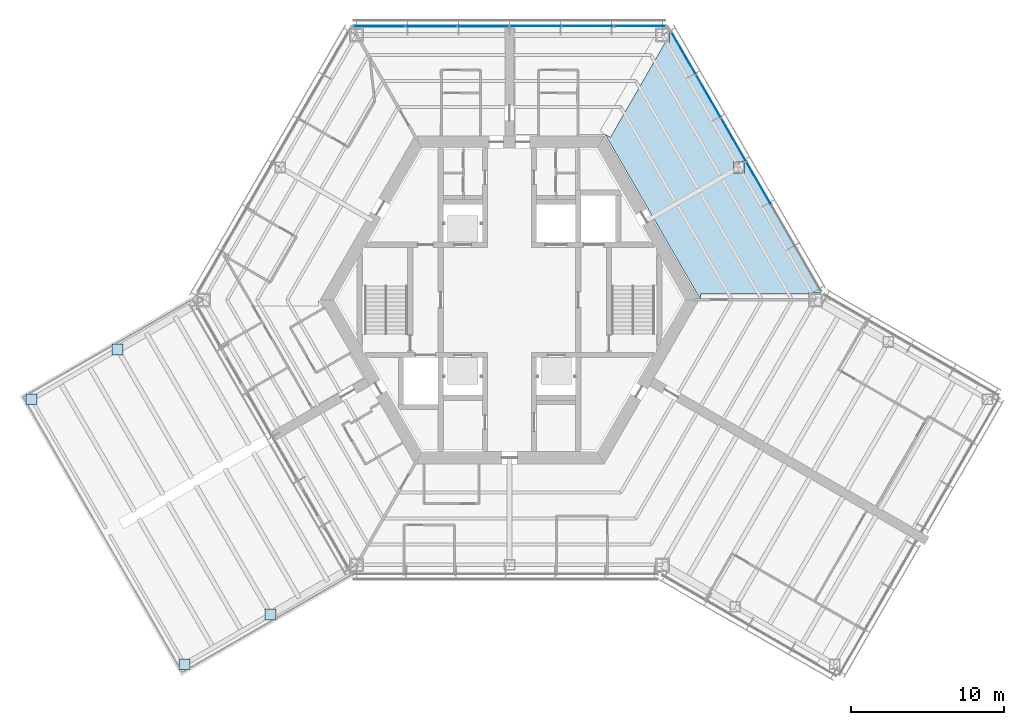
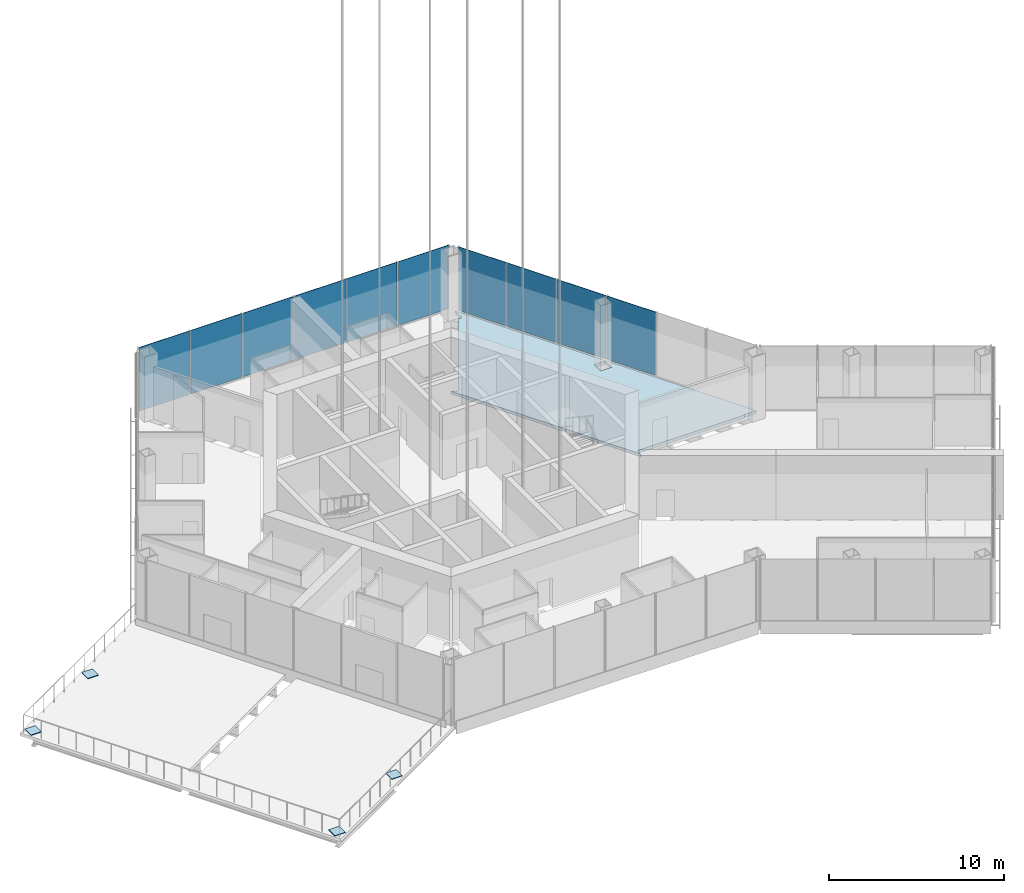
# One storey, part 7 of 17: 14 plates, 1 slab, 2 elements without a shape of their own.
"""IFC4 building model written with IfcOpenShell, lengths in metres."""

from ifc_helpers import new_model, si_unit, direction, frame, origin, origin_2d, place, context, subcontext, project, spatial, polyline, rectangle, outline, extrude, material, layer, layer_set, type_object, element, aggregate, save


model = new_model("IFC4")

# Units and contexts
model_context = context("Model", 3, precision=1e-05, world=origin(), true_north=direction((0.0, 1.0)))
body_context = subcontext(model_context, "Body", "Model", "MODEL_VIEW")
ifc_project = project(units=[si_unit("LENGTHUNIT", "METRE"), si_unit("AREAUNIT", "SQUARE_METRE"), si_unit("VOLUMEUNIT", "CUBIC_METRE"), si_unit("PLANEANGLEUNIT", "RADIAN"), si_unit("MASSUNIT", "GRAM", prefix="KILO")], contexts=[model_context])

# Site, building, storey
site_placement = place(None, origin())
site = spatial("IfcSite", under=ifc_project, at=site_placement, CompositionType="ELEMENT")
building_placement = place(site_placement, origin())
building = spatial("IfcBuilding", under=site, at=building_placement, Name="Kasaneha Research Tower", CompositionType="ELEMENT")
storey_placement = place(building_placement, frame((0.0, 0.0, 208.300048828125)))
storey = spatial("IfcBuildingStorey", under=building, at=storey_placement, Name="L52", CompositionType="ELEMENT", Elevation=208.300048828125)

# Curtain wall, plates
ifc_material_1 = material(Name="Glass and aluminium", Category="aluminium")
curtain_wall_type = type_object("IfcCurtainWallType", Name="Sky lobby curtain wall", PredefinedType="USERDEFINED", material=ifc_material_1)
curtain_wall_1_placement = place(storey_placement, origin())
curtain_wall_1 = element("IfcCurtainWall", 1, at=curtain_wall_1_placement, inside=storey, type_object=curtain_wall_type, Name="CW-S L52 run 01a", ObjectType="UNITISED CURTAIN WALL", PredefinedType="USERDEFINED")
ifc_material_2 = material(Name="Laminated double glazing", Category="glass")
ifc_layer_1 = layer(ifc_material_2, 0.030029296875)
ifc_layer_set_1 = layer_set([ifc_layer_1], Name="CW-S glazed panel")
plate_type_1 = type_object("IfcPlateType", Name="CW-S glazed panel", PredefinedType="CURTAIN_PANEL", material=ifc_layer_set_1)
plate_1_placement = place(storey_placement, frame((16.291748046875, 7.622802734375, 0.06982421875), z_axis=(0.0, 0.0, 1.0), x_axis=(-0.499999979232, 0.866025415775, 0.0)))
plate_1 = element("IfcPlate", 2, at=plate_1_placement, type_object=plate_type_1, Name="CW-S panel 3", PredefinedType="CURTAIN_PANEL", context=body_context, shape_type="SweptSolid", body=[
    extrude(rectangle(XDim=3.2080078125, YDim=0.030029296875, at=origin_2d()), origin(), (0.0, 0.0, 1.0), 4.429931640625),
])
plate_2_placement = place(storey_placement, frame((14.65283203125, 10.461669921875, 0.06982421875), z_axis=(0.0, 0.0, 1.0), x_axis=(-0.499999979232, 0.866025415775, 0.0)))
plate_2 = element("IfcPlate", 3, at=plate_2_placement, type_object=plate_type_1, Name="CW-S panel 4", PredefinedType="CURTAIN_PANEL", context=body_context, shape_type="SweptSolid", body=[
    extrude(rectangle(XDim=3.2080078125, YDim=0.030029296875, at=origin_2d()), origin(), (0.0, 0.0, 1.0), 4.429931640625),
])
plate_3_placement = place(storey_placement, frame((13.013671875, 13.300537109375, 0.06982421875), z_axis=(0.0, 0.0, 1.0), x_axis=(-0.499999979232, 0.866025415775, 0.0)))
plate_3 = element("IfcPlate", 4, at=plate_3_placement, type_object=plate_type_1, Name="CW-S panel 5", PredefinedType="CURTAIN_PANEL", context=body_context, shape_type="SweptSolid", body=[
    extrude(rectangle(XDim=3.2080078125, YDim=0.030029296875, at=origin_2d()), origin(), (0.0, 0.0, 1.0), 4.429931640625),
])
plate_4_placement = place(storey_placement, frame((11.383544921875, 16.124267578125, 0.06982421875), z_axis=(0.0, 0.0, 1.0), x_axis=(-0.499999979232, 0.866025415775, 0.0)))
plate_4 = element("IfcPlate", 5, at=plate_4_placement, type_object=plate_type_1, Name="CW-S panel 6", PredefinedType="CURTAIN_PANEL", context=body_context, shape_type="SweptSolid", body=[
    extrude(rectangle(XDim=3.173095703125, YDim=0.030029296875, at=origin_2d()), origin(), (0.0, 0.0, 1.0), 4.429931640625),
])
aggregate(curtain_wall_1, [plate_1, plate_2, plate_3, plate_4])

curtain_wall_2_placement = place(storey_placement, origin())
curtain_wall_2 = element("IfcCurtainWall", 6, at=curtain_wall_2_placement, inside=storey, type_object=curtain_wall_type, Name="CW-S L52 run 02a", ObjectType="UNITISED CURTAIN WALL", PredefinedType="USERDEFINED")
plate_5_placement = place(storey_placement, frame((8.521240234375, 17.92041015625, 0.06982421875), z_axis=(0.0, 0.0, 1.0), x_axis=(-1.0, 0.0, 0.0)))
plate_5 = element("IfcPlate", 7, at=plate_5_placement, type_object=plate_type_1, Name="CW-S panel 1", PredefinedType="CURTAIN_PANEL", context=body_context, shape_type="SweptSolid", body=[
    extrude(rectangle(XDim=3.310546875, YDim=0.030029296875, at=origin_2d()), origin(), (0.0, 0.0, 1.0), 4.429931640625),
])
plate_6_placement = place(storey_placement, frame((5.123291015625, 17.92041015625, 0.06982421875), z_axis=(0.0, 0.0, 1.0), x_axis=(-1.0, 0.0, 0.0)))
plate_6 = element("IfcPlate", 8, at=plate_6_placement, type_object=plate_type_1, Name="CW-S panel 2", PredefinedType="CURTAIN_PANEL", context=body_context, shape_type="SweptSolid", body=[
    extrude(rectangle(XDim=3.345458984375, YDim=0.030029296875, at=origin_2d()), origin(), (0.0, 0.0, 1.0), 4.429931640625),
])
plate_7_placement = place(storey_placement, frame((1.707763671875, 17.92041015625, 0.06982421875), z_axis=(0.0, 0.0, 1.0), x_axis=(-1.0, 0.0, 0.0)))
plate_7 = element("IfcPlate", 9, at=plate_7_placement, type_object=plate_type_1, Name="CW-S panel 3", PredefinedType="CURTAIN_PANEL", context=body_context, shape_type="SweptSolid", body=[
    extrude(rectangle(XDim=3.345458984375, YDim=0.030029296875, at=origin_2d()), origin(), (0.0, 0.0, 1.0), 4.429931640625),
])
plate_8_placement = place(storey_placement, frame((-1.707763671875, 17.92041015625, 0.06982421875), z_axis=(0.0, 0.0, 1.0), x_axis=(-1.0, 0.0, 0.0)))
plate_8 = element("IfcPlate", 10, at=plate_8_placement, type_object=plate_type_1, Name="CW-S panel 4", PredefinedType="CURTAIN_PANEL", context=body_context, shape_type="SweptSolid", body=[
    extrude(rectangle(XDim=3.345458984375, YDim=0.030029296875, at=origin_2d()), origin(), (0.0, 0.0, 1.0), 4.429931640625),
])
plate_9_placement = place(storey_placement, frame((-5.123291015625, 17.92041015625, 0.06982421875), z_axis=(0.0, 0.0, 1.0), x_axis=(-1.0, 0.0, 0.0)))
plate_9 = element("IfcPlate", 11, at=plate_9_placement, type_object=plate_type_1, Name="CW-S panel 5", PredefinedType="CURTAIN_PANEL", context=body_context, shape_type="SweptSolid", body=[
    extrude(rectangle(XDim=3.345458984375, YDim=0.030029296875, at=origin_2d()), origin(), (0.0, 0.0, 1.0), 4.429931640625),
])
plate_10_placement = place(storey_placement, frame((-8.521240234375, 17.92041015625, 0.06982421875), z_axis=(0.0, 0.0, 1.0), x_axis=(-1.0, 0.0, 0.0)))
plate_10 = element("IfcPlate", 12, at=plate_10_placement, type_object=plate_type_1, Name="CW-S panel 6", PredefinedType="CURTAIN_PANEL", context=body_context, shape_type="SweptSolid", body=[
    extrude(rectangle(XDim=3.310546875, YDim=0.030029296875, at=origin_2d()), origin(), (0.0, 0.0, 1.0), 4.429931640625),
])
aggregate(curtain_wall_2, [plate_5, plate_6, plate_7, plate_8, plate_9, plate_10])

# Plates
ifc_material_3 = material(Name="Steel SN490C", Category="steel")
ifc_layer_2 = layer(ifc_material_3, 0.0400390625)
ifc_layer_set_2 = layer_set([ifc_layer_2], Name="Column cap plate 40")
plate_type_2 = type_object("IfcPlateType", Name="Column cap plate 40", PredefinedType="USERDEFINED", material=ifc_layer_set_2)
for number, where, z_axis, x_axis, name in (
    (13, (-25.629150390625, -3.25, 0.0), (0.0, 0.0, 1.0), (1.0, 0.0, 0.0), "Column cap plate BSP L51"),
    (14, (-31.25830078125, -6.5, 0.0), (0.0, 0.0, 1.0), (1.0, 0.0, 0.0), "Column cap plate BTP L51"),
    (15, (-15.629150390625, -20.570556640625, 0.0), (0.0, 0.0, 1.0), (1.0, 0.0, 0.0), "Column cap plate BSN L51"),
    (16, (-21.25830078125, -23.820556640625, 0.0), (0.0, 0.0, 1.0), (1.0, 0.0, 0.0), "Column cap plate BTN L51"),
):
    element("IfcPlate", number, at=place(storey_placement, frame(where, z_axis=z_axis, x_axis=x_axis)), inside=storey, type_object=plate_type_2, Name=name, ObjectType="PLATE", PredefinedType="USERDEFINED", context=body_context, shape_type="SweptSolid", body=[
        extrude(rectangle(XDim=0.699951171875, YDim=0.699951171875, at=origin_2d()), origin(), (0.0, 0.0, 1.0), 0.0400390625),
    ])

# Slab
ifc_material_4 = material(Name="Concrete Fc24", Category="concrete")
ifc_layer_3 = layer(ifc_material_4, 0.199951171875)
ifc_layer_set_3 = layer_set([ifc_layer_3], Name="Floor slab 200")
slab_type = type_object("IfcSlabType", Name="Floor slab 200", PredefinedType="FLOOR", material=ifc_layer_set_3)
slab_placement = place(storey_placement, frame((0.0, 0.0, -0.199951171875)))
element("IfcSlab", 17, at=slab_placement, inside=storey, type_object=slab_type, Name="Floor slab L52 6", PredefinedType="FLOOR", context=body_context, shape_type="SweptSolid", body=[
    extrude(outline(polyline([(19.550048828125, 0.39990234375), (12.49951171875, 0.39990234375), (12.49951171875, 0.0), (6.249755859375, 10.824951171875), (6.59619140625, 10.625), (10.2021484375, 16.87060546875), (10.449951171875, 16.87060546875), (10.449951171875, 17.64111328125), (20.375244140625, 0.449951171875), (19.550048828125, 0.449951171875), (19.550048828125, 0.39990234375)]), holes=[polyline([(14.64990234375, 9.01025390625), (14.64990234375, 8.310302734375), (15.35009765625, 8.310302734375), (15.35009765625, 9.01025390625), (14.64990234375, 9.01025390625)])]), origin(), (0.0, 0.0, 1.0), 0.199951171875),
])

save(model, "model.ifc")
